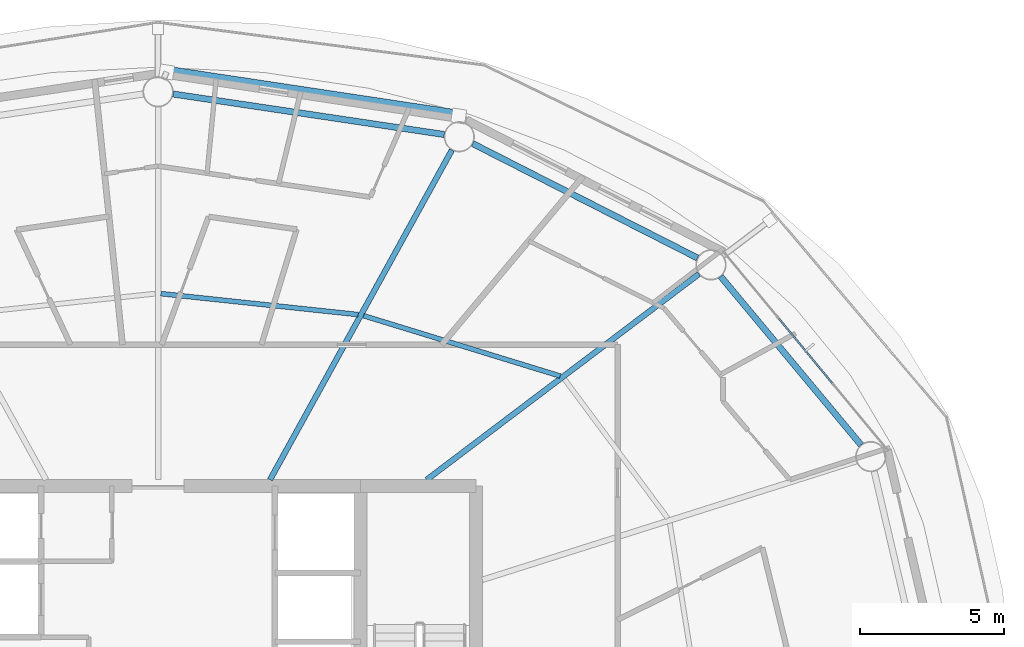
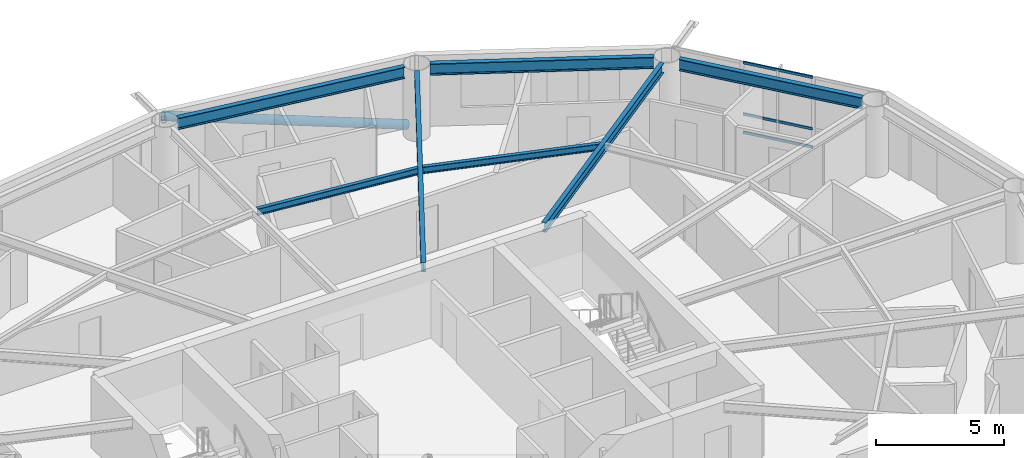
# One storey, part 14 of 29: 7 beams, 4 members, 1 element without a shape of its own.
"""IFC4 building model written with IfcOpenShell, lengths in metres."""

from ifc_helpers import new_model, si_unit, direction, frame, origin, origin_2d, place, context, subcontext, project, spatial, hollow_rectangle, hollow_circle, i_section, extrude, material, layer, layer_set, material_profile, profile_set, type_object, element, aggregate, save


model = new_model("IFC4")

# Units and contexts
model_context = context("Model", 3, precision=1e-05, world=origin(), true_north=direction((0.0, 1.0)))
body_context = subcontext(model_context, "Body", "Model", "MODEL_VIEW")
ifc_project = project(units=[si_unit("LENGTHUNIT", "METRE"), si_unit("AREAUNIT", "SQUARE_METRE"), si_unit("VOLUMEUNIT", "CUBIC_METRE"), si_unit("PLANEANGLEUNIT", "RADIAN"), si_unit("MASSUNIT", "GRAM", prefix="KILO")], contexts=[model_context])

# Site, building, storey
site_placement = place(None, origin())
site = spatial("IfcSite", under=ifc_project, at=site_placement, CompositionType="ELEMENT")
building_placement = place(site_placement, origin())
building = spatial("IfcBuilding", under=site, at=building_placement, Name="Sarneth Arch Tower", CompositionType="ELEMENT")
storey_placement = place(building_placement, frame((0.0, 0.0, 175.800048828125)))
storey = spatial("IfcBuildingStorey", under=building, at=storey_placement, Name="L44", CompositionType="ELEMENT", Elevation=175.800048828125)

# Beams
ifc_material_1 = material(Name="Steel S355", Category="steel")
ifc_material_profile_1 = material_profile(ifc_material_1, i_section(OverallWidth=0.1669921875, OverallDepth=0.31689453125, WebThickness=0.007568359375, FlangeThickness=0.01318359375, FilletRadius=0.012939453125, at=origin_2d()), Name="W310x52")
ifc_profile_set_1 = profile_set([ifc_material_profile_1], Name="Steel S355")
beam_type_1 = type_object("IfcBeamType", Name="BM-JOIST-310B", PredefinedType="JOIST", material=ifc_profile_set_1)
beam_1_placement = place(storey_placement, frame((61.912841796875, 52.61279296875, 3.221435546875), z_axis=(-0.955929549608, 0.293596144707, 0.0), x_axis=(-0.293596144707, -0.955929549608, 0.0)))
element("IfcBeam", 1, at=beam_1_placement, inside=storey, type_object=beam_type_1, Name="L44 Secondary floor joist 03", PredefinedType="JOIST", context=body_context, shape_type="SweptSolid", body=[
    extrude(i_section(OverallWidth=0.1669921875, OverallDepth=0.31689453125, WebThickness=0.007568359375, FlangeThickness=0.01318359375, FilletRadius=0.012939453125, at=origin_2d()), origin(), (0.0, 0.0, 1.0), 7.1123046875),
])
beam_2_placement = place(storey_placement, frame((54.92578125, 54.739501953125, 3.221435546875), z_axis=(-0.994407831942, 0.105608066799, 0.0), x_axis=(-0.105608066799, -0.994407831942, 0.0)))
element("IfcBeam", 2, at=beam_2_placement, inside=storey, type_object=beam_type_1, Name="L44 Secondary floor joist 04", PredefinedType="JOIST", context=body_context, shape_type="SweptSolid", body=[
    extrude(i_section(OverallWidth=0.1669921875, OverallDepth=0.31689453125, WebThickness=0.007568359375, FlangeThickness=0.01318359375, FilletRadius=0.012939453125, at=origin_2d()), origin(), (0.0, 0.0, 1.0), 6.8681640625),
])
ifc_material_2 = material(Name="Steel S355", Category="steel")
ifc_material_profile_2 = material_profile(ifc_material_2, i_section(OverallWidth=0.193115234375, OverallDepth=0.466064453125, WebThickness=0.011474609375, FlangeThickness=0.01904296875, FilletRadius=0.01806640625, at=origin_2d()), Name="W460x97")
ifc_profile_set_2 = profile_set([ifc_material_profile_2], Name="Steel S355")
beam_type_2 = type_object("IfcBeamType", Name="BM-RAD-460C", PredefinedType="BEAM", material=ifc_profile_set_2)
beam_3_placement = place(storey_placement, frame((57.29541015625, 49.02490234375, 3.14697265625), z_axis=(0.797786205076, 0.602940437349, 0.0), x_axis=(-0.602940437349, 0.797786205076, 0.0)))
element("IfcBeam", 3, at=beam_3_placement, inside=storey, type_object=beam_type_2, Name="L44 Radial floor girder 03", PredefinedType="BEAM", context=body_context, shape_type="SweptSolid", body=[
    extrude(i_section(OverallWidth=0.193115234375, OverallDepth=0.466064453125, WebThickness=0.011474609375, FlangeThickness=0.01904296875, FilletRadius=0.01806640625, at=origin_2d()), origin(), (0.0, 0.0, 1.0), 11.806884765625),
])
beam_4_placement = place(storey_placement, frame((51.875, 49.02490234375, 3.14697265625), z_axis=(0.483004525121, 0.87561785541, 0.0), x_axis=(-0.87561785541, 0.483004525121, 0.0)))
element("IfcBeam", 4, at=beam_4_placement, inside=storey, type_object=beam_type_2, Name="L44 Radial floor girder 04", PredefinedType="BEAM", context=body_context, shape_type="SweptSolid", body=[
    extrude(i_section(OverallWidth=0.193115234375, OverallDepth=0.466064453125, WebThickness=0.011474609375, FlangeThickness=0.01904296875, FilletRadius=0.01806640625, at=origin_2d()), origin(), (0.0, 0.0, 1.0), 13.029296875),
])
ifc_material_3 = material(Name="Steel S355", Category="steel")
ifc_material_profile_3 = material_profile(ifc_material_3, i_section(OverallWidth=0.214111328125, OverallDepth=0.549072265625, WebThickness=0.0146484375, FlangeThickness=0.023681640625, FilletRadius=0.01806640625, at=origin_2d()), Name="W530x138")
ifc_profile_set_3 = profile_set([ifc_material_profile_3], Name="Steel S355")
beam_type_3 = type_object("IfcBeamType", Name="BM-RAD-530A", PredefinedType="BEAM", material=ifc_profile_set_3)
beam_5_placement = place(storey_placement, frame((72.326171875, 50.229248046875, 3.10546875), z_axis=(-0.640171737024, 0.768231831621, 0.0), x_axis=(-0.768231831621, -0.640171737024, 0.0)))
element("IfcBeam", 5, at=beam_5_placement, inside=storey, type_object=beam_type_3, Name="L44 Perimeter spandrel beam 02", PredefinedType="BEAM", context=body_context, shape_type="SweptSolid", body=[
    extrude(i_section(OverallWidth=0.214111328125, OverallDepth=0.549072265625, WebThickness=0.0146484375, FlangeThickness=0.023681640625, FilletRadius=0.01806640625, at=origin_2d()), origin(), (0.0, 0.0, 1.0), 7.585693359375),
])
beam_6_placement = place(storey_placement, frame((66.665771484375, 56.698486328125, 3.10546875), z_axis=(-0.891254220899, 0.453504039374, 0.0), x_axis=(-0.453504039374, -0.891254220899, 0.0)))
element("IfcBeam", 6, at=beam_6_placement, inside=storey, type_object=beam_type_3, Name="L44 Perimeter spandrel beam 03", PredefinedType="BEAM", context=body_context, shape_type="SweptSolid", body=[
    extrude(i_section(OverallWidth=0.214111328125, OverallDepth=0.549072265625, WebThickness=0.0146484375, FlangeThickness=0.023681640625, FilletRadius=0.01806640625, at=origin_2d()), origin(), (0.0, 0.0, 1.0), 8.724853515625),
])
beam_7_placement = place(storey_placement, frame((57.902587890625, 60.970947265625, 3.10546875), z_axis=(-0.989027145133, 0.14773390332, 0.0), x_axis=(-0.14773390332, -0.989027145133, 0.0)))
element("IfcBeam", 7, at=beam_7_placement, inside=storey, type_object=beam_type_3, Name="L44 Perimeter spandrel beam 04", PredefinedType="BEAM", context=body_context, shape_type="SweptSolid", body=[
    extrude(i_section(OverallWidth=0.214111328125, OverallDepth=0.549072265625, WebThickness=0.0146484375, FlangeThickness=0.023681640625, FilletRadius=0.01806640625, at=origin_2d()), origin(), (0.0, 0.0, 1.0), 9.4873046875),
])

# Curtain wall, members
ifc_material_4 = material(Name="Anodised aluminium Type AA25 and solar-control low-e laminated IGU", Category="aluminium")
ifc_layer = layer(ifc_material_4, 0.169921875)
ifc_layer_set = layer_set([ifc_layer], Name="Anodised aluminium Type AA25 and solar-control low-e laminated IGU")
curtain_wall_type = type_object("IfcCurtainWallType", Name="CW-RES-MID", PredefinedType="NOTDEFINED", material=ifc_layer_set)
curtain_wall_placement = place(storey_placement, origin())
curtain_wall = element("IfcCurtainWall", 8, at=curtain_wall_placement, inside=storey, type_object=curtain_wall_type, Name="L44 Unitised curtain wall facet 02", PredefinedType="NOTDEFINED")
ifc_material_5 = material(Name="Anodised Aluminium 6063-T6", Category="aluminium")
ifc_material_profile_4 = material_profile(ifc_material_5, hollow_rectangle(XDim=0.06005859375, YDim=0.1201171875, WallThickness=0.00390625, at=origin_2d()), Name="AL-TRAN-120x60x4")
ifc_profile_set_4 = profile_set([ifc_material_profile_4], Name="Anodised Aluminium 6063-T6")
member_type_1 = type_object("IfcMemberType", Name="CW-TRANSOM", PredefinedType="USERDEFINED", material=ifc_profile_set_4)
member_1_placement = place(storey_placement, frame((71.327880859375, 52.36962890625, 0.030029296875), z_axis=(-0.637329777791, 0.770591171985, 0.0), x_axis=(-0.770591171985, -0.637329777791, 0.0)))
member_1 = element("IfcMember", 9, at=member_1_placement, type_object=member_type_1, Name="CW-SYS-5 transom 2.1", ObjectType="TRANSOM", PredefinedType="USERDEFINED", context=body_context, shape_type="SweptSolid", body=[
    extrude(hollow_rectangle(XDim=0.06005859375, YDim=0.1201171875, WallThickness=0.00390625, at=origin_2d()), origin(), (0.0, 0.0, 1.0), 2.898193359375),
])
member_2_placement = place(storey_placement, frame((71.327880859375, 52.36962890625, 0.89990234375), z_axis=(-0.637329777791, 0.770591171985, 0.0), x_axis=(-0.770591171985, -0.637329777791, 0.0)))
member_2 = element("IfcMember", 10, at=member_2_placement, type_object=member_type_1, Name="CW-SYS-5 transom 2.2", ObjectType="TRANSOM", PredefinedType="USERDEFINED", context=body_context, shape_type="SweptSolid", body=[
    extrude(hollow_rectangle(XDim=0.06005859375, YDim=0.1201171875, WallThickness=0.00390625, at=origin_2d()), origin(), (0.0, 0.0, 1.0), 2.898193359375),
])
member_3_placement = place(storey_placement, frame((71.327880859375, 52.36962890625, 3.349853515625), z_axis=(-0.637329777791, 0.770591171985, 0.0), x_axis=(-0.770591171985, -0.637329777791, 0.0)))
member_3 = element("IfcMember", 11, at=member_3_placement, type_object=member_type_1, Name="CW-SYS-5 transom 2.3", ObjectType="TRANSOM", PredefinedType="USERDEFINED", context=body_context, shape_type="SweptSolid", body=[
    extrude(hollow_rectangle(XDim=0.06005859375, YDim=0.1201171875, WallThickness=0.00390625, at=origin_2d()), origin(), (0.0, 0.0, 1.0), 2.898193359375),
])
aggregate(curtain_wall, [member_1, member_2, member_3])

# Member
ifc_material_6 = material(Name="Steel S355", Category="steel")
ifc_material_profile_5 = material_profile(ifc_material_6, hollow_circle(Radius=0.202880859375, WallThickness=0.01611328125, at=origin_2d()), Name="CHS406x16")
ifc_profile_set_5 = profile_set([ifc_material_profile_5], Name="Steel S355")
member_type_2 = type_object("IfcMemberType", Name="MEM-DIAG-BR2", PredefinedType="BRACE", material=ifc_profile_set_5)
member_4_placement = place(storey_placement, frame((58.404296875, 61.612548828125, 0.02001953125), z_axis=(-0.948052912183, 0.142822782379, 0.284248708942), x_axis=(-0.148967610144, -0.988842075929, 0.0)))
element("IfcMember", 12, at=member_4_placement, inside=storey, type_object=member_type_2, Name="L44 Perimeter frame diagonal 04", PredefinedType="BRACE", context=body_context, shape_type="SweptSolid", body=[
    extrude(hollow_circle(Radius=0.202880859375, WallThickness=0.01611328125, at=origin_2d()), origin(), (0.0, 0.0, 1.0), 10.66162109375),
])

save(model, "model.ifc")
